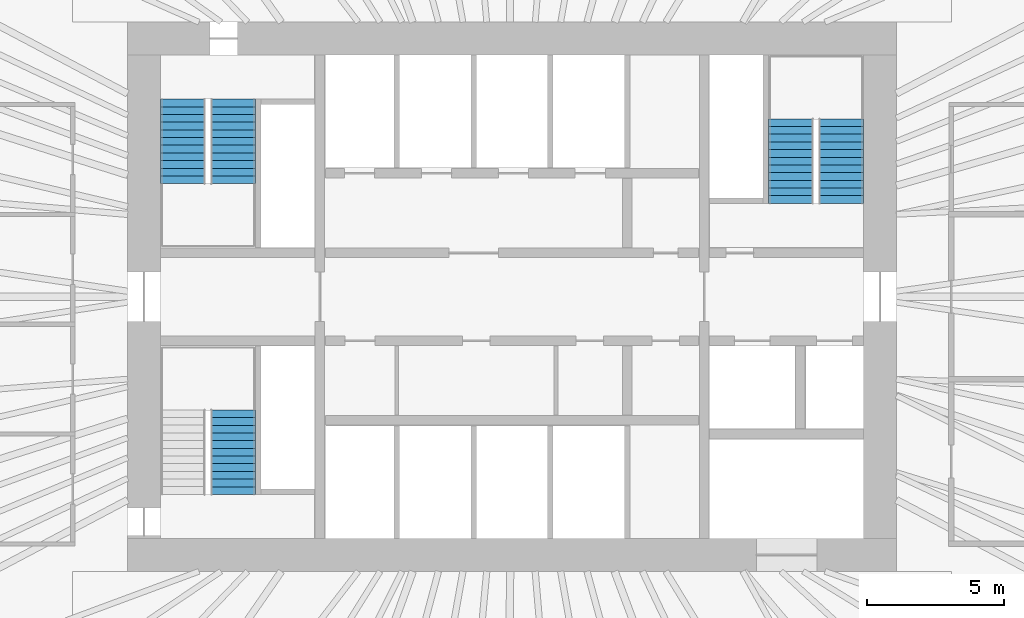
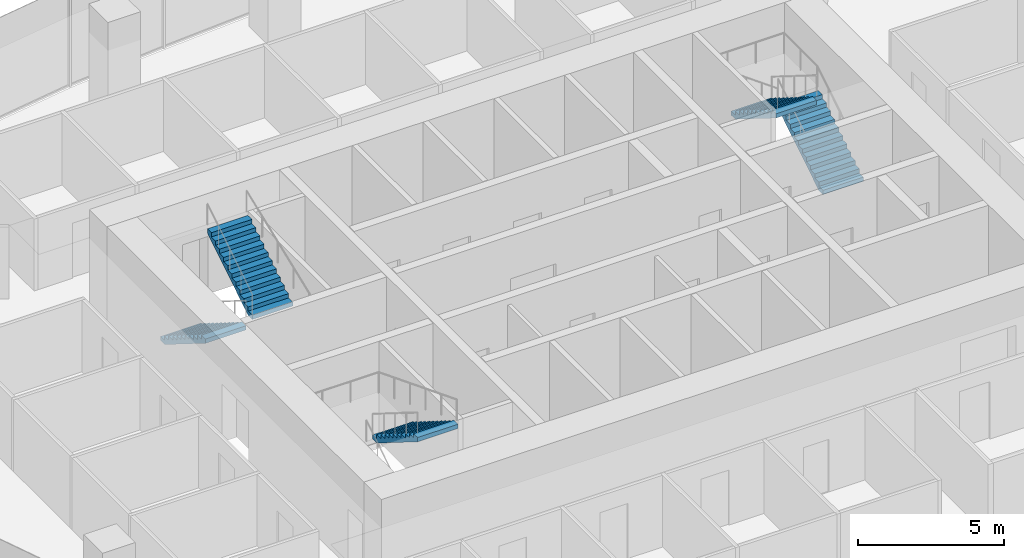
# One storey, part 11 of 12: 5 stair flights, 3 elements without a shape of their own.
"""IFC4 building model written with IfcOpenShell, lengths in metres."""

from ifc_helpers import new_model, si_unit, direction, frame, origin, place, context, subcontext, project, spatial, polyline, outline, extrude, material, type_object, element, aggregate, save


model = new_model("IFC4")

# Units and contexts
model_context = context("Model", 3, precision=1e-05, world=origin(), true_north=direction((0.0, 1.0)))
body_context = subcontext(model_context, "Body", "Model", "MODEL_VIEW")
ifc_project = project(units=[si_unit("LENGTHUNIT", "METRE"), si_unit("AREAUNIT", "SQUARE_METRE"), si_unit("VOLUMEUNIT", "CUBIC_METRE"), si_unit("PLANEANGLEUNIT", "RADIAN"), si_unit("MASSUNIT", "GRAM", prefix="KILO")], contexts=[model_context])

# Site, building, storey
site_placement = place(None, origin())
site = spatial("IfcSite", under=ifc_project, at=site_placement, CompositionType="ELEMENT")
building_placement = place(site_placement, origin())
building = spatial("IfcBuilding", under=site, at=building_placement, Name="Ghaith Harvest Tower", CompositionType="ELEMENT")
storey_placement = place(building_placement, frame((0.0, 0.0, 207.39990234375)))
storey = spatial("IfcBuildingStorey", under=building, at=storey_placement, Name="L45", CompositionType="ELEMENT", Elevation=207.39990234375)

# Stair, stair flights
ifc_material_1 = material(Name="Concrete C40/50, precast", Category="concrete")
stair_type = type_object("IfcStairType", Name="CORE STAIR 24R", PredefinedType="HALF_TURN_STAIR", material=ifc_material_1)
stair_1_placement = place(storey_placement, origin())
stair_1 = element("IfcStair", 1, at=stair_1_placement, inside=storey, type_object=stair_type, Name="Stair ST1 L45", PredefinedType="HALF_TURN_STAIR")
ifc_material_2 = material(Name="Concrete C40/50, precast", Category="concrete")
stair_flight_type = type_object("IfcStairFlightType", Name="CORE FLIGHT 12R 1600", PredefinedType="STRAIGHT", material=ifc_material_2)
stair_flight_1_placement = place(storey_placement, frame((-12.0, 7.199951171875, 0.0), z_axis=(0.0, 0.0, 1.0), x_axis=(0.0, -1.0, 0.0)))
stair_flight_1 = element("IfcStairFlight", 2, at=stair_flight_1_placement, type_object=stair_flight_type, Name="ST1 flight 1", NumberOfRisers=12, NumberOfTreads=11, PredefinedType="STRAIGHT", RiserHeight=0.175, TreadLength=0.28, context=body_context, shape_type="SweptSolid", body=[
    extrude(outline(polyline([(0.0, 0.0), (0.0, 0.175048828125), (0.280029296875, 0.175048828125), (0.280029296875, 0.35009765625), (0.56005859375, 0.35009765625), (0.56005859375, 0.52490234375), (0.840087890625, 0.52490234375), (0.840087890625, 0.699951171875), (1.1201171875, 0.699951171875), (1.1201171875, 0.875), (1.39990234375, 0.875), (1.39990234375, 1.050048828125), (1.679931640625, 1.050048828125), (1.679931640625, 1.22509765625), (1.9599609375, 1.22509765625), (1.9599609375, 1.39990234375), (2.239990234375, 1.39990234375), (2.239990234375, 1.574951171875), (2.52001953125, 1.574951171875), (2.52001953125, 1.75), (2.800048828125, 1.75), (2.800048828125, 1.925048828125), (3.080078125, 1.925048828125), (3.080078125, 2.10009765625), (3.080078125, 1.748291015625), (0.28271484375, 0.0), (0.0, 0.0)])), frame((0.0, 0.800048828125, 0.0), z_axis=(0.0, -1.0, 0.0), x_axis=(1.0, 0.0, 0.0)), (0.0, 0.0, 1.0), 1.60009765625),
])
stair_flight_2_placement = place(storey_placement, frame((-10.14990234375, 4.1201171875, 2.10009765625), z_axis=(0.0, 0.0, 1.0), x_axis=(0.0, 1.0, 0.0)))
stair_flight_2 = element("IfcStairFlight", 3, at=stair_flight_2_placement, type_object=stair_flight_type, Name="ST1 flight 2", NumberOfRisers=12, NumberOfTreads=11, PredefinedType="STRAIGHT", RiserHeight=0.175, TreadLength=0.28, context=body_context, shape_type="SweptSolid", body=[
    extrude(outline(polyline([(0.0, 0.0), (0.0, 0.175048828125), (0.280029296875, 0.175048828125), (0.280029296875, 0.35009765625), (0.56005859375, 0.35009765625), (0.56005859375, 0.52490234375), (0.840087890625, 0.52490234375), (0.840087890625, 0.699951171875), (1.1201171875, 0.699951171875), (1.1201171875, 0.875), (1.39990234375, 0.875), (1.39990234375, 1.050048828125), (1.679931640625, 1.050048828125), (1.679931640625, 1.22509765625), (1.9599609375, 1.22509765625), (1.9599609375, 1.39990234375), (2.239990234375, 1.39990234375), (2.239990234375, 1.574951171875), (2.52001953125, 1.574951171875), (2.52001953125, 1.75), (2.800048828125, 1.75), (2.800048828125, 1.925048828125), (3.080078125, 1.925048828125), (3.080078125, 2.10009765625), (3.080078125, 1.748291015625), (0.28271484375, 0.0), (0.0, 0.0)])), frame((0.0, 0.800048828125, 0.0), z_axis=(0.0, -1.0, 0.0), x_axis=(1.0, 0.0, 0.0)), (0.0, 0.0, 1.0), 1.60009765625),
])
aggregate(stair_1, [stair_flight_1, stair_flight_2])

# Stair, stair flight
stair_2_placement = place(storey_placement, origin())
stair_2 = element("IfcStair", 4, at=stair_2_placement, inside=storey, type_object=stair_type, Name="Stair ST3 L45", PredefinedType="HALF_TURN_STAIR")
stair_flight_3_placement = place(storey_placement, frame((-10.14990234375, -4.1201171875, 2.10009765625), z_axis=(0.0, 0.0, 1.0), x_axis=(0.0, -1.0, 0.0)))
stair_flight_3 = element("IfcStairFlight", 5, at=stair_flight_3_placement, type_object=stair_flight_type, Name="ST3 flight 2", NumberOfRisers=12, NumberOfTreads=11, PredefinedType="STRAIGHT", RiserHeight=0.175, TreadLength=0.28, context=body_context, shape_type="SweptSolid", body=[
    extrude(outline(polyline([(0.0, 0.0), (0.0, 0.175048828125), (0.280029296875, 0.175048828125), (0.280029296875, 0.35009765625), (0.56005859375, 0.35009765625), (0.56005859375, 0.52490234375), (0.840087890625, 0.52490234375), (0.840087890625, 0.699951171875), (1.1201171875, 0.699951171875), (1.1201171875, 0.875), (1.39990234375, 0.875), (1.39990234375, 1.050048828125), (1.679931640625, 1.050048828125), (1.679931640625, 1.22509765625), (1.9599609375, 1.22509765625), (1.9599609375, 1.39990234375), (2.239990234375, 1.39990234375), (2.239990234375, 1.574951171875), (2.52001953125, 1.574951171875), (2.52001953125, 1.75), (2.800048828125, 1.75), (2.800048828125, 1.925048828125), (3.080078125, 1.925048828125), (3.080078125, 2.10009765625), (3.080078125, 1.748291015625), (0.28271484375, 0.0), (0.0, 0.0)])), frame((0.0, 0.800048828125, 0.0), z_axis=(0.0, -1.0, 0.0), x_axis=(1.0, 0.0, 0.0)), (0.0, 0.0, 1.0), 1.60009765625),
])
aggregate(stair_2, [stair_flight_3])

# Stair, stair flights
stair_3_placement = place(storey_placement, origin())
stair_3 = element("IfcStair", 6, at=stair_3_placement, inside=storey, type_object=stair_type, Name="Stair ST2 L45", PredefinedType="HALF_TURN_STAIR")
stair_flight_4_placement = place(storey_placement, frame((12.0, 3.39990234375, 0.0), z_axis=(0.0, 0.0, 1.0), x_axis=(0.0, 1.0, 0.0)))
stair_flight_4 = element("IfcStairFlight", 7, at=stair_flight_4_placement, type_object=stair_flight_type, Name="ST2 flight 1", NumberOfRisers=12, NumberOfTreads=11, PredefinedType="STRAIGHT", RiserHeight=0.175, TreadLength=0.28, context=body_context, shape_type="SweptSolid", body=[
    extrude(outline(polyline([(0.0, 0.0), (0.0, 0.175048828125), (0.280029296875, 0.175048828125), (0.280029296875, 0.35009765625), (0.56005859375, 0.35009765625), (0.56005859375, 0.52490234375), (0.840087890625, 0.52490234375), (0.840087890625, 0.699951171875), (1.1201171875, 0.699951171875), (1.1201171875, 0.875), (1.39990234375, 0.875), (1.39990234375, 1.050048828125), (1.679931640625, 1.050048828125), (1.679931640625, 1.22509765625), (1.9599609375, 1.22509765625), (1.9599609375, 1.39990234375), (2.239990234375, 1.39990234375), (2.239990234375, 1.574951171875), (2.52001953125, 1.574951171875), (2.52001953125, 1.75), (2.800048828125, 1.75), (2.800048828125, 1.925048828125), (3.080078125, 1.925048828125), (3.080078125, 2.10009765625), (3.080078125, 1.748291015625), (0.28271484375, 0.0), (0.0, 0.0)])), frame((0.0, 0.800048828125, 0.0), z_axis=(0.0, -1.0, 0.0), x_axis=(1.0, 0.0, 0.0)), (0.0, 0.0, 1.0), 1.60009765625),
])
stair_flight_5_placement = place(storey_placement, frame((10.14990234375, 6.47998046875, 2.10009765625), z_axis=(0.0, 0.0, 1.0), x_axis=(0.0, -1.0, 0.0)))
stair_flight_5 = element("IfcStairFlight", 8, at=stair_flight_5_placement, type_object=stair_flight_type, Name="ST2 flight 2", NumberOfRisers=12, NumberOfTreads=11, PredefinedType="STRAIGHT", RiserHeight=0.175, TreadLength=0.28, context=body_context, shape_type="SweptSolid", body=[
    extrude(outline(polyline([(0.0, 0.0), (0.0, 0.175048828125), (0.280029296875, 0.175048828125), (0.280029296875, 0.35009765625), (0.56005859375, 0.35009765625), (0.56005859375, 0.52490234375), (0.840087890625, 0.52490234375), (0.840087890625, 0.699951171875), (1.1201171875, 0.699951171875), (1.1201171875, 0.875), (1.39990234375, 0.875), (1.39990234375, 1.050048828125), (1.679931640625, 1.050048828125), (1.679931640625, 1.22509765625), (1.9599609375, 1.22509765625), (1.9599609375, 1.39990234375), (2.239990234375, 1.39990234375), (2.239990234375, 1.574951171875), (2.52001953125, 1.574951171875), (2.52001953125, 1.75), (2.800048828125, 1.75), (2.800048828125, 1.925048828125), (3.080078125, 1.925048828125), (3.080078125, 2.10009765625), (3.080078125, 1.748291015625), (0.28271484375, 0.0), (0.0, 0.0)])), frame((0.0, 0.800048828125, 0.0), z_axis=(0.0, -1.0, 0.0), x_axis=(1.0, 0.0, 0.0)), (0.0, 0.0, 1.0), 1.60009765625),
])
aggregate(stair_3, [stair_flight_4, stair_flight_5])

save(model, "model.ifc")
